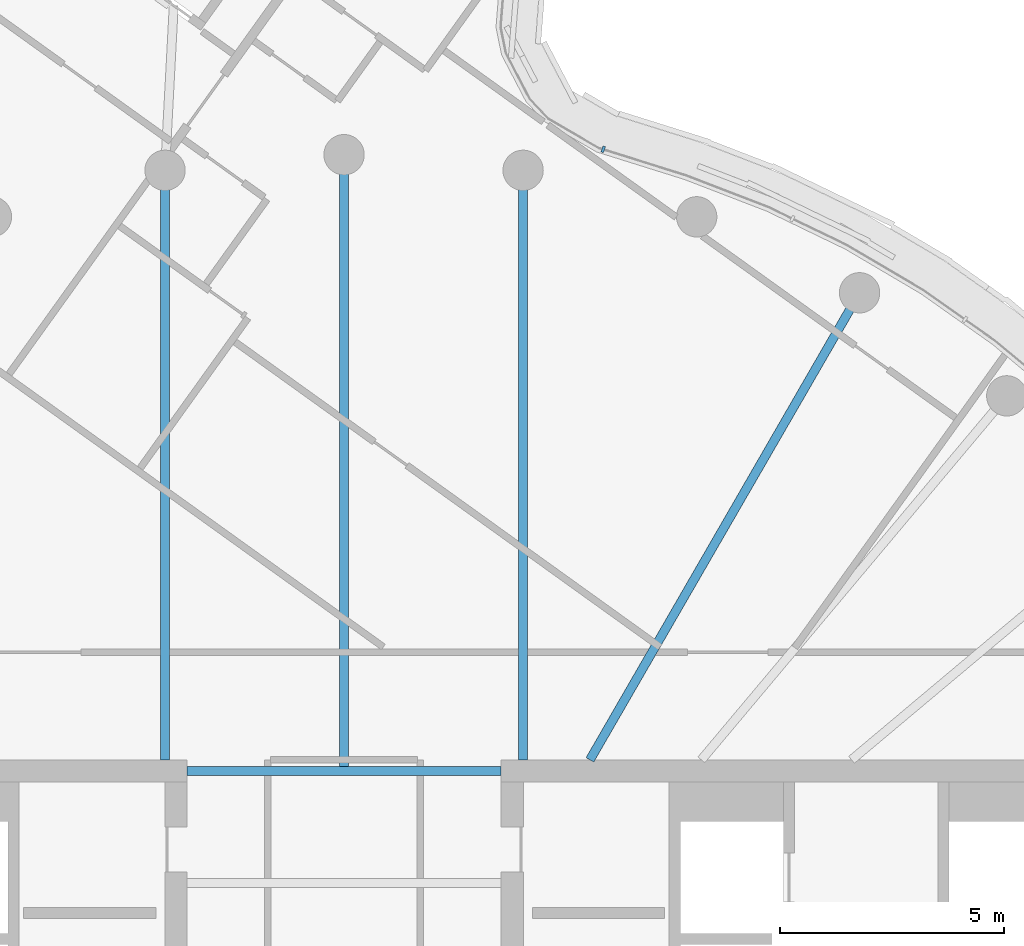
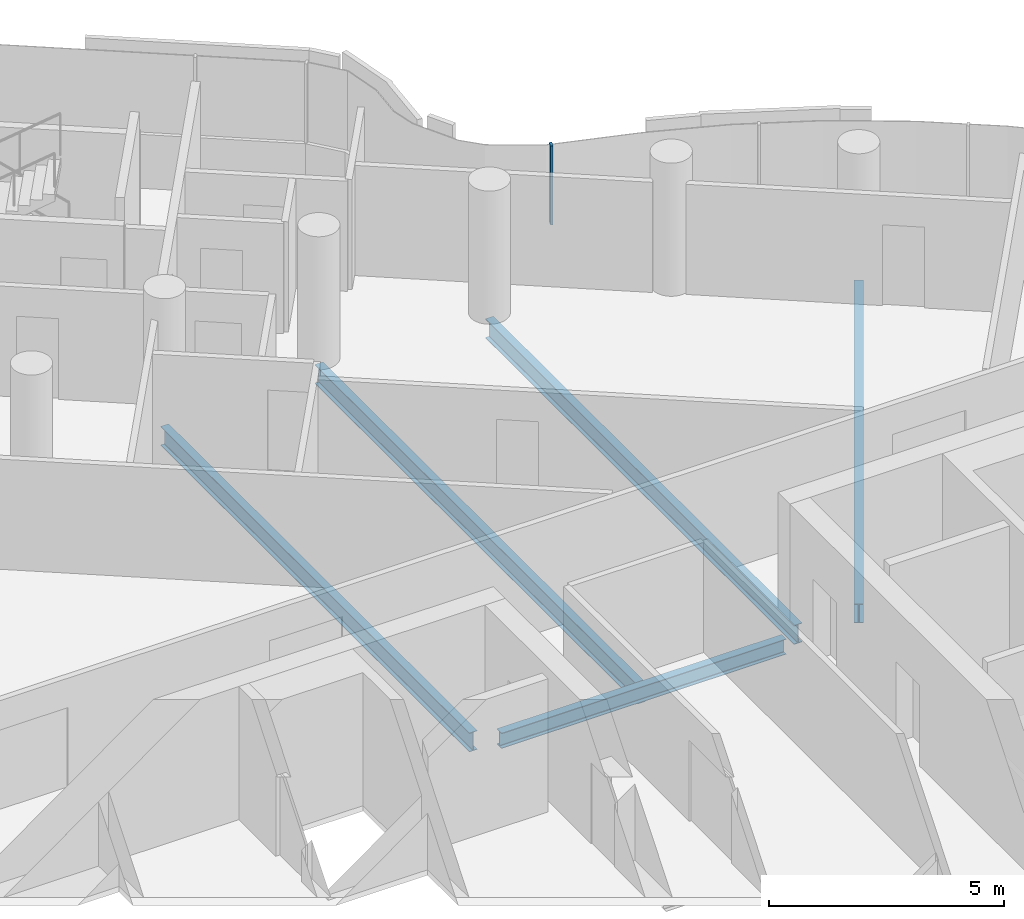
# One storey, part 11 of 27: 5 beams, 1 member, 1 element without a shape of its own.
"""IFC4 building model written with IfcOpenShell, lengths in metres."""

from ifc_helpers import new_model, si_unit, direction, frame, origin, origin_2d, place, context, subcontext, project, spatial, rectangle, i_section, extrude, material, layer, layer_set, material_profile, profile_set, type_object, element, aggregate, save


model = new_model("IFC4")

# Units and contexts
model_context = context("Model", 3, precision=1e-05, world=origin(), true_north=direction((0.0, 1.0)))
body_context = subcontext(model_context, "Body", "Model", "MODEL_VIEW")
ifc_project = project(units=[si_unit("LENGTHUNIT", "METRE"), si_unit("AREAUNIT", "SQUARE_METRE"), si_unit("VOLUMEUNIT", "CUBIC_METRE"), si_unit("PLANEANGLEUNIT", "RADIAN"), si_unit("MASSUNIT", "GRAM", prefix="KILO")], contexts=[model_context])

# Site, building, storey
site_placement = place(None, origin())
site = spatial("IfcSite", under=ifc_project, at=site_placement, CompositionType="ELEMENT")
building_placement = place(site_placement, origin())
building = spatial("IfcBuilding", under=site, at=building_placement, Name="Tamarind Cross Interchange Tower", CompositionType="ELEMENT")
storey_placement = place(building_placement, frame((0.0, 0.0, 230.699951171875)))
storey = spatial("IfcBuildingStorey", under=building, at=storey_placement, Name="L58", CompositionType="ELEMENT", Elevation=230.699951171875)

# Beams
ifc_material_1 = material(Name="Steel Q355B", Category="steel")
ifc_material_profile_1 = material_profile(ifc_material_1, i_section(OverallWidth=0.199951171875, OverallDepth=0.39990234375, WebThickness=0.008056640625, FlangeThickness=0.012939453125, FilletRadius=0.01611328125, at=origin_2d()), Name="HN 400x200x8x13")
ifc_profile_set_1 = profile_set([ifc_material_profile_1], Name="Steel Q355B")
beam_type_1 = type_object("IfcBeamType", Name="Composite beam HN 400x200x8x13 Q355B", PredefinedType="BEAM", material=ifc_profile_set_1)
beam_1_placement = place(storey_placement, frame((-3.5, 9.25, -0.33984375), z_axis=(1.0, 0.0, 0.0), x_axis=(0.0, 1.0, 0.0)))
element("IfcBeam", 1, at=beam_1_placement, inside=storey, type_object=beam_type_1, Name="Beam G9.25", PredefinedType="BEAM", context=body_context, shape_type="SweptSolid", body=[
    extrude(i_section(OverallWidth=0.199951171875, OverallDepth=0.39990234375, WebThickness=0.008056640625, FlangeThickness=0.012939453125, FilletRadius=0.01611328125, at=origin_2d()), origin(), (0.0, 0.0, 1.0), 7.0),
])
ifc_material_profile_2 = material_profile(ifc_material_1, i_section(OverallWidth=0.198974609375, OverallDepth=0.49609375, WebThickness=0.009033203125, FlangeThickness=0.013916015625, FilletRadius=0.012939453125, at=origin_2d()), Name="HN 496x199x9x14")
ifc_profile_set_2 = profile_set([ifc_material_profile_2], Name="Steel Q355B")
beam_type_2 = type_object("IfcBeamType", Name="Composite beam HN 496x199x9x14 Q355B", PredefinedType="BEAM", material=ifc_profile_set_2)
beam_2_placement = place(storey_placement, frame((11.5, 19.918701171875, -0.387939453125), z_axis=(-0.499993565836, -0.866029118519, 0.0), x_axis=(0.866029118519, -0.499993565836, 0.0)))
element("IfcBeam", 2, at=beam_2_placement, inside=storey, type_object=beam_type_2, Name="Beam HH06", PredefinedType="BEAM", context=body_context, shape_type="SweptSolid", body=[
    extrude(i_section(OverallWidth=0.198974609375, OverallDepth=0.49609375, WebThickness=0.009033203125, FlangeThickness=0.013916015625, FilletRadius=0.012939453125, at=origin_2d()), origin(), (0.0, 0.0, 1.0), 12.030517578125),
])
beam_3_placement = place(storey_placement, frame((3.993896484375, 22.650634765625, -0.387939453125), z_axis=(0.0, -1.0, 0.0), x_axis=(1.0, 0.0, 0.0)))
element("IfcBeam", 3, at=beam_3_placement, inside=storey, type_object=beam_type_2, Name="Beam HH08", PredefinedType="BEAM", context=body_context, shape_type="SweptSolid", body=[
    extrude(i_section(OverallWidth=0.198974609375, OverallDepth=0.49609375, WebThickness=0.009033203125, FlangeThickness=0.013916015625, FilletRadius=0.012939453125, at=origin_2d()), origin(), (0.0, 0.0, 1.0), 13.150634765625),
])
beam_4_placement = place(storey_placement, frame((0.0, 23.0, -0.387939453125), z_axis=(0.0, -1.0, 0.0), x_axis=(1.0, 0.0, 0.0)))
element("IfcBeam", 4, at=beam_4_placement, inside=storey, type_object=beam_type_2, Name="Beam HH09", PredefinedType="BEAM", context=body_context, shape_type="SweptSolid", body=[
    extrude(i_section(OverallWidth=0.198974609375, OverallDepth=0.49609375, WebThickness=0.009033203125, FlangeThickness=0.013916015625, FilletRadius=0.012939453125, at=origin_2d()), origin(), (0.0, 0.0, 1.0), 13.75),
])
beam_5_placement = place(storey_placement, frame((-3.993896484375, 22.650634765625, -0.387939453125), z_axis=(0.0, -1.0, 0.0), x_axis=(1.0, 0.0, 0.0)))
element("IfcBeam", 5, at=beam_5_placement, inside=storey, type_object=beam_type_2, Name="Beam HH10", PredefinedType="BEAM", context=body_context, shape_type="SweptSolid", body=[
    extrude(i_section(OverallWidth=0.198974609375, OverallDepth=0.49609375, WebThickness=0.009033203125, FlangeThickness=0.013916015625, FilletRadius=0.012939453125, at=origin_2d()), origin(), (0.0, 0.0, 1.0), 13.150634765625),
])

# Curtain wall, member
ifc_material_2 = material(Name="Aluminium 6063-T6", Category="aluminium")
ifc_layer = layer(ifc_material_2, 0.139892578125)
ifc_layer_set = layer_set([ifc_layer], Name="Aluminium 6063-T6")
curtain_wall_type = type_object("IfcCurtainWallType", Name="Hotel curtain wall, 4.5 m bays", PredefinedType="NOTDEFINED", material=ifc_layer_set)
curtain_wall_placement = place(storey_placement, origin())
curtain_wall = element("IfcCurtainWall", 6, at=curtain_wall_placement, inside=storey, type_object=curtain_wall_type, Name="CWS-L58-02", PredefinedType="NOTDEFINED")
ifc_material_profile_3 = material_profile(ifc_material_2, rectangle(XDim=0.06005859375, YDim=0.139892578125, at=origin_2d()), Name="Mullion CW2")
ifc_profile_set_3 = profile_set([ifc_material_profile_3], Name="Aluminium 6063-T6")
member_type = type_object("IfcMemberType", Name="Mullion CW2", PredefinedType="MULLION", material=ifc_profile_set_3)
member_placement = place(storey_placement, frame((5.7822265625, 23.119384765625, 1.400146484375), z_axis=(0.0, 0.0, 1.0), x_axis=(-0.954125391172, 0.299407311068, 0.0)))
member = element("IfcMember", 7, at=member_placement, type_object=member_type, Name="CWM-L58-02-21", PredefinedType="MULLION", context=body_context, shape_type="SweptSolid", body=[
    extrude(rectangle(XDim=0.06005859375, YDim=0.139892578125, at=origin_2d()), origin(), (0.0, 0.0, 1.0), 2.059814453125),
])
aggregate(curtain_wall, [member])

save(model, "model.ifc")
